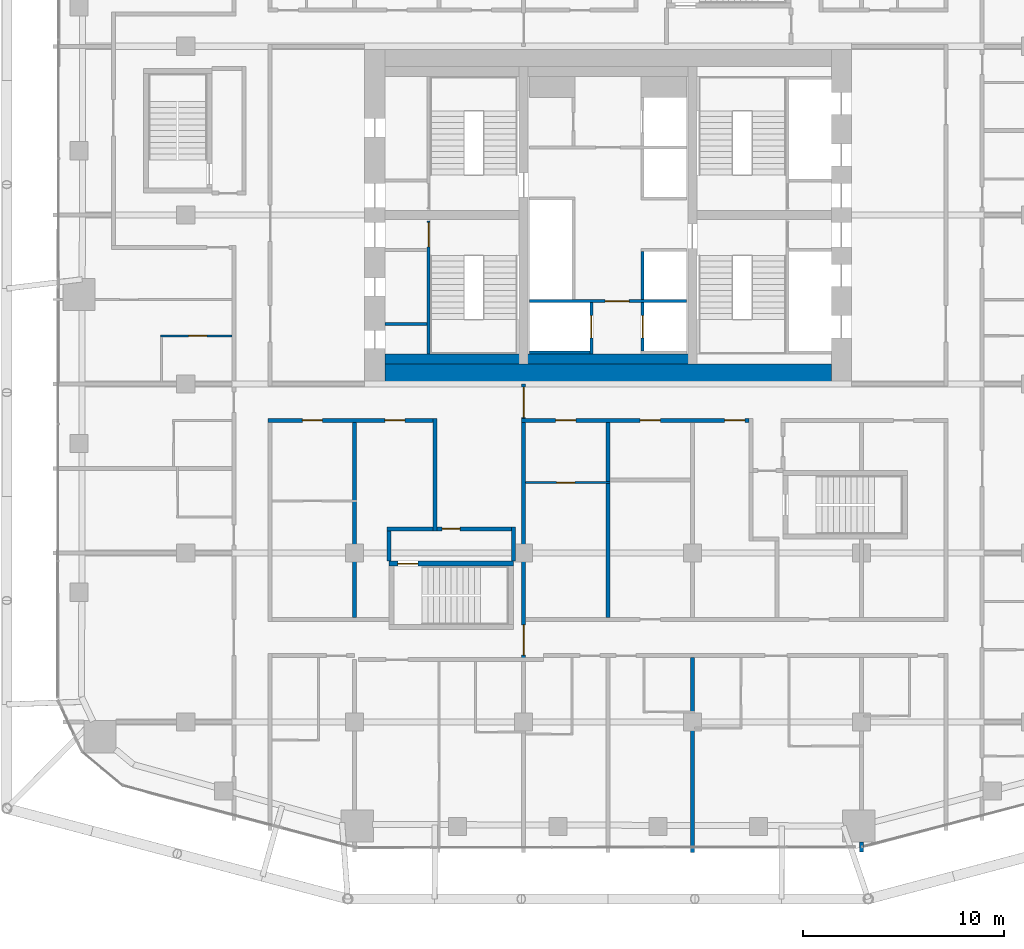
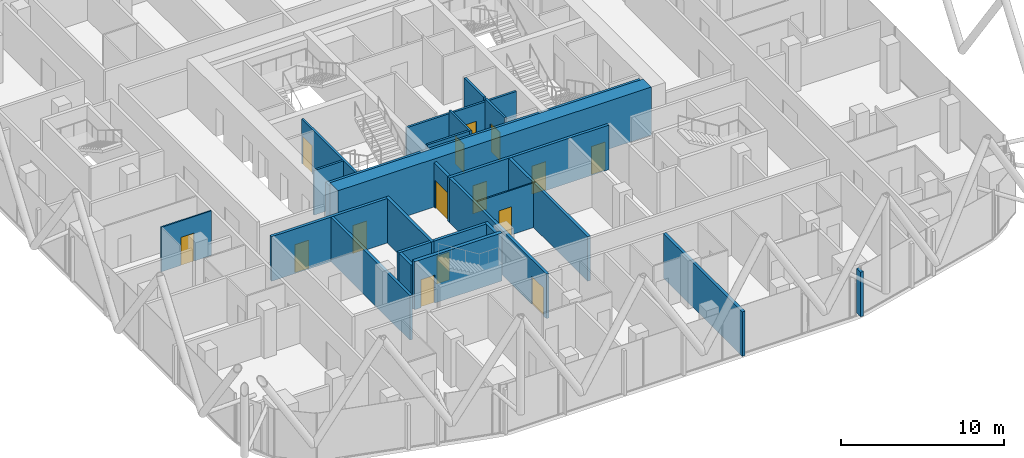
# One storey, part 28 of 36: 24 walls, 15 doors, 15 openings.
"""IFC4 building model written with IfcOpenShell, lengths in metres."""

from ifc_helpers import new_model, si_unit, direction, frame, frame_2d, origin, place, context, subcontext, project, spatial, rectangle, extrude, material, layer, layer_set, type_object, element, fill, save


model = new_model("IFC4")

# Units and contexts
model_context = context("Model", 3, precision=1e-05, world=origin(), true_north=direction((0.0, 1.0)))
body_context = subcontext(model_context, "Body", "Model", "MODEL_VIEW")
ifc_project = project(units=[si_unit("LENGTHUNIT", "METRE"), si_unit("AREAUNIT", "SQUARE_METRE"), si_unit("VOLUMEUNIT", "CUBIC_METRE"), si_unit("PLANEANGLEUNIT", "RADIAN"), si_unit("MASSUNIT", "GRAM", prefix="KILO")], contexts=[model_context])

# Site, building, storey
site_placement = place(None, origin())
site = spatial("IfcSite", under=ifc_project, at=site_placement, CompositionType="ELEMENT")
building_placement = place(site_placement, origin())
building = spatial("IfcBuilding", under=site, at=building_placement, Name="Marenta Gate Hotel Tower", CompositionType="ELEMENT")
storey_placement = place(building_placement, frame((0.0, 0.0, 158.89990234375)))
storey = spatial("IfcBuildingStorey", under=building, at=storey_placement, Name="L37", CompositionType="ELEMENT", Elevation=158.89990234375)

# Wall, openings, doors
ifc_material_1 = material(Name="Concrete blockwork", Category="masonry")
ifc_layer_1 = layer(ifc_material_1, 0.199951171875)
ifc_layer_set_1 = layer_set([ifc_layer_1], Name="Concrete blockwork")
wall_type_1 = type_object("IfcWallType", Name="Compartment wall 200 REI 180", PredefinedType="PARTITIONING", material=ifc_layer_set_1)
wall_1_placement = place(storey_placement, frame((-4.199951171875, -13.800048828125, 0.0), z_axis=(0.0, 0.0, 1.0), x_axis=(0.0, 1.0, 0.0)))
wall_1 = element("IfcWall", 1, at=wall_1_placement, inside=storey, type_object=wall_type_1, Name="L37-PTN-W074", PredefinedType="PARTITIONING", context=body_context, shape_type="SweptSolid", body=[
    extrude(rectangle(XDim=13.800048828125, YDim=0.199951171875, at=frame_2d((6.89990234375, 0.0))), origin(), (0.0, 0.0, 1.0), 3.340087890625),
])
opening_1_placement = place(wall_1_placement, frame((12.14990234375, 0.0, 0.0)))
opening_1 = element("IfcOpeningElement", 2, at=opening_1_placement, cuts=wall_1, Name="Opening G14-FD2", PredefinedType="OPENING", context=body_context, shape_type="SweptSolid", body=[
    extrude(rectangle(XDim=1.5, YDim=2.10009765625, at=frame_2d((0.75, 1.050048828125))), frame((0.0, 0.10009765625, 0.0), z_axis=(0.0, -1.0, 0.0), x_axis=(1.0, 0.0, 0.0)), (0.0, 0.0, 1.0), 0.199951171875),
])
opening_2_placement = place(wall_1_placement, frame((0.324951171875, 0.0, 0.0)))
opening_2 = element("IfcOpeningElement", 3, at=opening_2_placement, cuts=wall_1, Name="Opening G14-FD3", PredefinedType="OPENING", context=body_context, shape_type="SweptSolid", body=[
    extrude(rectangle(XDim=1.5, YDim=2.10009765625, at=frame_2d((0.75, 1.050048828125))), frame((0.0, 0.10009765625, 0.0), z_axis=(0.0, -1.0, 0.0), x_axis=(1.0, 0.0, 0.0)), (0.0, 0.0, 1.0), 0.199951171875),
])
ifc_material_2 = material(Name="Hollow steel door set", Category="steel")
door_type_1 = type_object("IfcDoorType", Name="Compartment fire door 1500x2100 EI 60", OperationType="DOUBLE_DOOR_DOUBLE_SWING", PredefinedType="DOOR", material=ifc_material_2)
door_1_placement = place(opening_1_placement, origin())
door_1 = element("IfcDoor", 4, at=door_1_placement, inside=storey, type_object=door_type_1, Name="L37-PD-FD02", OperationType="DOUBLE_DOOR_DOUBLE_SWING", OverallHeight=2.10009765625, OverallWidth=1.5, PredefinedType="DOOR", context=body_context, shape_type="SweptSolid", body=[
    extrude(rectangle(XDim=1.5, YDim=2.10009765625, at=frame_2d((0.75, 1.050048828125))), frame((0.0, 0.02490234375, 0.0), z_axis=(0.0, -1.0, 0.0), x_axis=(1.0, 0.0, 0.0)), (0.0, 0.0, 1.0), 0.050048828125),
])
fill(opening_1, door_1)
door_2_placement = place(opening_2_placement, origin())
door_2 = element("IfcDoor", 5, at=door_2_placement, inside=storey, type_object=door_type_1, Name="L37-PD-FD03", OperationType="DOUBLE_DOOR_DOUBLE_SWING", OverallHeight=2.10009765625, OverallWidth=1.5, PredefinedType="DOOR", context=body_context, shape_type="SweptSolid", body=[
    extrude(rectangle(XDim=1.5, YDim=2.10009765625, at=frame_2d((0.75, 1.050048828125))), frame((0.0, 0.02490234375, 0.0), z_axis=(0.0, -1.0, 0.0), x_axis=(1.0, 0.0, 0.0)), (0.0, 0.0, 1.0), 0.050048828125),
])
fill(opening_2, door_2)

# Wall
ifc_material_3 = material(Name="Concrete C40", Category="concrete")
ifc_layer_2 = layer(ifc_material_3, 0.5)
ifc_layer_set_2 = layer_set([ifc_layer_2], Name="Concrete C40")
wall_type_2 = type_object("IfcWallType", Name="Core lining wall 500 REI 180", PredefinedType="PARTITIONING", material=ifc_layer_set_2)
wall_2_placement = place(storey_placement, frame((-11.10009765625, 1.25, 0.0), z_axis=(0.0, 0.0, 1.0), x_axis=(1.0, 0.0, 0.0)))
element("IfcWall", 6, at=wall_2_placement, inside=storey, type_object=wall_type_2, Name="L37-CP-LN-S", PredefinedType="PARTITIONING", context=body_context, shape_type="SweptSolid", body=[
    extrude(rectangle(XDim=22.2001953125, YDim=0.5, at=frame_2d((11.10009765625, 0.0))), origin(), (0.0, 0.0, 1.0), 3.340087890625),
])

# Wall, opening, door
ifc_material_4 = material(Name="Concrete blockwork", Category="masonry")
ifc_layer_3 = layer(ifc_material_4, 0.14990234375)
ifc_layer_set_3 = layer_set([ifc_layer_3], Name="Concrete blockwork")
wall_type_3 = type_object("IfcWallType", Name="Core lobby partition 150 REI 180", PredefinedType="PARTITIONING", material=ifc_layer_set_3)
wall_3_placement = place(storey_placement, frame((-3.89990234375, 4.125, 0.0), z_axis=(0.0, 0.0, 1.0), x_axis=(1.0, 0.0, 0.0)))
wall_3 = element("IfcWall", 7, at=wall_3_placement, inside=storey, type_object=wall_type_3, Name="L37-CP-CW-S", PredefinedType="PARTITIONING", context=body_context, shape_type="SweptSolid", body=[
    extrude(rectangle(XDim=7.7998046875, YDim=0.14990234375, at=frame_2d((3.89990234375, 0.0))), origin(), (0.0, 0.0, 1.0), 3.340087890625),
])
opening_3_placement = place(wall_3_placement, frame((3.75, 0.0, 0.0)))
opening_3 = element("IfcOpeningElement", 8, at=opening_3_placement, cuts=wall_3, Name="Opening FD-FFS", PredefinedType="OPENING", context=body_context, shape_type="SweptSolid", body=[
    extrude(rectangle(XDim=1.199951171875, YDim=2.10009765625, at=frame_2d((0.60009765625, 1.050048828125))), frame((0.0, 0.074951171875, 0.0), z_axis=(0.0, -1.0, 0.0), x_axis=(1.0, 0.0, 0.0)), (0.0, 0.0, 1.0), 0.14990234375),
])
ifc_material_5 = material(Name="Steel", Category="steel")
door_type_2 = type_object("IfcDoorType", Name="Core lobby door 1200x2100 FD60", OperationType="SINGLE_SWING_LEFT", PredefinedType="DOOR", material=ifc_material_5)
door_3_placement = place(opening_3_placement, origin())
door_3 = element("IfcDoor", 9, at=door_3_placement, inside=storey, type_object=door_type_2, Name="FD-FFS", OperationType="SINGLE_SWING_LEFT", OverallHeight=2.10009765625, OverallWidth=1.199951171875, PredefinedType="DOOR", context=body_context, shape_type="SweptSolid", body=[
    extrude(rectangle(XDim=1.199951171875, YDim=2.10009765625, at=frame_2d((0.60009765625, 1.050048828125))), frame((0.0, 0.02490234375, 0.0), z_axis=(0.0, -1.0, 0.0), x_axis=(1.0, 0.0, 0.0)), (0.0, 0.0, 1.0), 0.050048828125),
])
fill(opening_3, door_3)

# Wall
ifc_material_6 = material(Name="Concrete blockwork", Category="masonry")
ifc_layer_4 = layer(ifc_material_6, 0.14990234375)
ifc_layer_set_4 = layer_set([ifc_layer_4], Name="Concrete blockwork")
wall_type_4 = type_object("IfcWallType", Name="Core room partition 150 REI 180", PredefinedType="PARTITIONING", material=ifc_layer_set_4)
wall_4_placement = place(storey_placement, frame((-11.10009765625, 3.0, 0.0), z_axis=(0.0, 0.0, 1.0), x_axis=(1.0, 0.0, 0.0)))
element("IfcWall", 10, at=wall_4_placement, inside=storey, type_object=wall_type_4, Name="L37-CP-RW-WS-1", PredefinedType="PARTITIONING", context=body_context, shape_type="SweptSolid", body=[
    extrude(rectangle(XDim=2.10009765625, YDim=0.14990234375, at=frame_2d((1.050048828125, 0.0))), origin(), (0.0, 0.0, 1.0), 3.340087890625),
])

# Wall, opening, door
ifc_material_7 = material(Name="Concrete C40", Category="concrete")
ifc_layer_5 = layer(ifc_material_7, 0.14990234375)
ifc_layer_set_5 = layer_set([ifc_layer_5], Name="Concrete C40")
wall_type_5 = type_object("IfcWallType", Name="Core shaft wall 150 REI 180", PredefinedType="SHEAR", material=ifc_layer_set_5)
wall_5_placement = place(storey_placement, frame((-0.824951171875, 1.5, 0.0), z_axis=(0.0, 0.0, 1.0), x_axis=(0.0, 1.0, 0.0)))
wall_5 = element("IfcWall", 11, at=wall_5_placement, inside=storey, type_object=wall_type_5, Name="L37-SHF-CW-W-ff", PredefinedType="SHEAR", context=body_context, shape_type="SweptSolid", body=[
    extrude(rectangle(XDim=2.550048828125, YDim=0.14990234375, at=frame_2d((1.27490234375, 0.0))), origin(), (0.0, 0.0, 1.0), 3.60009765625),
])
opening_4_placement = place(wall_5_placement, frame((0.800048828125, 0.0, 0.0)))
opening_4 = element("IfcOpeningElement", 12, at=opening_4_placement, cuts=wall_5, Name="Opening LD-FF1", PredefinedType="OPENING", context=body_context, shape_type="SweptSolid", body=[
    extrude(rectangle(XDim=1.10009765625, YDim=2.10009765625, at=frame_2d((0.550048828125, 1.050048828125))), frame((0.0, 0.074951171875, 0.0), z_axis=(0.0, -1.0, 0.0), x_axis=(1.0, 0.0, 0.0)), (0.0, 0.0, 1.0), 0.14990234375),
])
ifc_material_8 = material(Name="Steel", Category="steel")
door_type_3 = type_object("IfcDoorType", Name="Core lift landing door 1100x2100 E 60", OperationType="SLIDING_TO_LEFT", PredefinedType="DOOR", material=ifc_material_8)
door_4_placement = place(opening_4_placement, origin())
door_4 = element("IfcDoor", 13, at=door_4_placement, inside=storey, type_object=door_type_3, Name="LD-FF1", OperationType="SLIDING_TO_LEFT", OverallHeight=2.10009765625, OverallWidth=1.10009765625, PredefinedType="DOOR", context=body_context, shape_type="SweptSolid", body=[
    extrude(rectangle(XDim=1.10009765625, YDim=2.10009765625, at=frame_2d((0.550048828125, 1.050048828125))), frame((0.0, 0.02490234375, 0.0), z_axis=(0.0, -1.0, 0.0), x_axis=(1.0, 0.0, 0.0)), (0.0, 0.0, 1.0), 0.050048828125),
])
fill(opening_4, door_4)

# Wall
wall_6_placement = place(storey_placement, frame((-3.89990234375, 1.574951171875, 0.0), z_axis=(0.0, 0.0, 1.0), x_axis=(1.0, 0.0, 0.0)))
element("IfcWall", 14, at=wall_6_placement, inside=storey, type_object=wall_type_5, Name="L37-SHF-CW-W-ffs", PredefinedType="SHEAR", context=body_context, shape_type="SweptSolid", body=[
    extrude(rectangle(XDim=3.0, YDim=0.14990234375, at=frame_2d((1.5, 0.0))), origin(), (0.0, 0.0, 1.0), 3.60009765625),
])

# Wall, opening, door
wall_7_placement = place(storey_placement, frame((1.72509765625, 1.64990234375, 0.0), z_axis=(0.0, 0.0, 1.0), x_axis=(0.0, 1.0, 0.0)))
wall_7 = element("IfcWall", 15, at=wall_7_placement, inside=storey, type_object=wall_type_5, Name="L37-SHF-CE-S-ls", PredefinedType="SHEAR", context=body_context, shape_type="SweptSolid", body=[
    extrude(rectangle(XDim=2.400146484375, YDim=0.14990234375, at=frame_2d((1.2001953125, 0.0))), origin(), (0.0, 0.0, 1.0), 3.60009765625),
])
opening_5_placement = place(wall_7_placement, frame((0.64990234375, 0.0, 0.0)))
opening_5 = element("IfcOpeningElement", 16, at=opening_5_placement, cuts=wall_7, Name="Opening LD-SV1", PredefinedType="OPENING", context=body_context, shape_type="SweptSolid", body=[
    extrude(rectangle(XDim=1.10009765625, YDim=2.10009765625, at=frame_2d((0.550048828125, 1.050048828125))), frame((0.0, 0.074951171875, 0.0), z_axis=(0.0, -1.0, 0.0), x_axis=(1.0, 0.0, 0.0)), (0.0, 0.0, 1.0), 0.14990234375),
])
door_5_placement = place(opening_5_placement, origin())
door_5 = element("IfcDoor", 17, at=door_5_placement, inside=storey, type_object=door_type_3, Name="LD-SV1", OperationType="SLIDING_TO_LEFT", OverallHeight=2.10009765625, OverallWidth=1.10009765625, PredefinedType="DOOR", context=body_context, shape_type="SweptSolid", body=[
    extrude(rectangle(XDim=1.10009765625, YDim=2.10009765625, at=frame_2d((0.550048828125, 1.050048828125))), frame((0.0, 0.02490234375, 0.0), z_axis=(0.0, -1.0, 0.0), x_axis=(1.0, 0.0, 0.0)), (0.0, 0.0, 1.0), 0.050048828125),
])
fill(opening_5, door_5)

# Wall
wall_8_placement = place(storey_placement, frame((1.72509765625, 4.199951171875, 0.0), z_axis=(0.0, 0.0, 1.0), x_axis=(0.0, 1.0, 0.0)))
element("IfcWall", 18, at=wall_8_placement, inside=storey, type_object=wall_type_5, Name="L37-SHF-CE-front-1", PredefinedType="SHEAR", context=body_context, shape_type="SweptSolid", body=[
    extrude(rectangle(XDim=2.400146484375, YDim=0.14990234375, at=frame_2d((1.2001953125, 0.0))), origin(), (0.0, 0.0, 1.0), 3.60009765625),
])

# Wall, opening, door
ifc_material_9 = material(Name="Concrete C40", Category="concrete")
ifc_layer_6 = layer(ifc_material_9, 0.14990234375)
ifc_layer_set_6 = layer_set([ifc_layer_6], Name="Concrete C40")
wall_type_6 = type_object("IfcWallType", Name="Core stair enclosure wall 150 REI 180", PredefinedType="SHEAR", material=ifc_layer_set_6)
wall_9_placement = place(storey_placement, frame((-8.925048828125, 1.5, 0.0), z_axis=(0.0, 0.0, 1.0), x_axis=(0.0, 1.0, 0.0)))
wall_9 = element("IfcWall", 19, at=wall_9_placement, inside=storey, type_object=wall_type_6, Name="L37-SHF-SW-WS-3", PredefinedType="SHEAR", context=body_context, shape_type="SweptSolid", body=[
    extrude(rectangle(XDim=6.60009765625, YDim=0.14990234375, at=frame_2d((3.300048828125, 0.0))), origin(), (0.0, 0.0, 1.0), 3.340087890625),
])
opening_6_placement = place(wall_9_placement, frame((5.324951171875, 0.0, 0.0)))
opening_6 = element("IfcOpeningElement", 20, at=opening_6_placement, cuts=wall_9, Name="Opening SD-WS", PredefinedType="OPENING", context=body_context, shape_type="SweptSolid", body=[
    extrude(rectangle(XDim=1.199951171875, YDim=2.10009765625, at=frame_2d((0.60009765625, 1.050048828125))), frame((0.0, 0.074951171875, 0.0), z_axis=(0.0, -1.0, 0.0), x_axis=(1.0, 0.0, 0.0)), (0.0, 0.0, 1.0), 0.14990234375),
])
ifc_material_10 = material(Name="Steel", Category="steel")
door_type_4 = type_object("IfcDoorType", Name="Core stair door 1200x2100 FD60", OperationType="SINGLE_SWING_LEFT", PredefinedType="DOOR", material=ifc_material_10)
door_6_placement = place(opening_6_placement, origin())
door_6 = element("IfcDoor", 21, at=door_6_placement, inside=storey, type_object=door_type_4, Name="SD-WS", OperationType="SINGLE_SWING_LEFT", OverallHeight=2.10009765625, OverallWidth=1.199951171875, PredefinedType="DOOR", context=body_context, shape_type="SweptSolid", body=[
    extrude(rectangle(XDim=1.199951171875, YDim=2.10009765625, at=frame_2d((0.60009765625, 1.050048828125))), frame((0.0, 0.02490234375, 0.0), z_axis=(0.0, -1.0, 0.0), x_axis=(1.0, 0.0, 0.0)), (0.0, 0.0, 1.0), 0.050048828125),
])
fill(opening_6, door_6)

# Wall
ifc_material_11 = material(Name="Concrete C70", Category="concrete")
ifc_layer_7 = layer(ifc_material_11, 1.0)
ifc_layer_set_7 = layer_set([ifc_layer_7], Name="Concrete C70")
wall_type_7 = type_object("IfcWallType", Name="Core wall 1000 C70", PredefinedType="SHEAR", material=ifc_layer_set_7)
wall_10_placement = place(storey_placement, frame((-11.10009765625, 0.5, 0.0), z_axis=(0.0, 0.0, 1.0), x_axis=(1.0, 0.0, 0.0)))
element("IfcWall", 22, at=wall_10_placement, inside=storey, type_object=wall_type_7, Name="L37-CORE-S", PredefinedType="SHEAR", context=body_context, shape_type="SweptSolid", body=[
    extrude(rectangle(XDim=22.2001953125, YDim=1.0, at=frame_2d((11.10009765625, 0.0))), origin(), (0.0, 0.0, 1.0), 3.60009765625),
])

# Wall, opening, door
ifc_material_12 = material(Name="Concrete C40", Category="concrete")
ifc_layer_8 = layer(ifc_material_12, 0.25)
ifc_layer_set_8 = layer_set([ifc_layer_8], Name="Concrete C40")
wall_type_8 = type_object("IfcWallType", Name="Remote stair enclosure wall 250 REI 180", PredefinedType="SHEAR", material=ifc_layer_set_8)
wall_11_placement = place(storey_placement, frame((-10.89990234375, -8.925048828125, 0.10009765625), z_axis=(0.0, 0.0, 1.0), x_axis=(1.0, 0.0, 0.0)))
wall_11 = element("IfcWall", 23, at=wall_11_placement, inside=storey, type_object=wall_type_8, Name="L37-RS-Z2-1-W2", PredefinedType="SHEAR", context=body_context, shape_type="SweptSolid", body=[
    extrude(rectangle(XDim=6.199951171875, YDim=0.25, at=frame_2d((3.10009765625, 0.0))), origin(), (0.0, 0.0, 1.0), 3.60009765625),
])
opening_7_placement = place(wall_11_placement, frame((0.449951171875, 0.0, 0.0)))
opening_7 = element("IfcOpeningElement", 24, at=opening_7_placement, cuts=wall_11, Name="Opening VD", PredefinedType="OPENING", context=body_context, shape_type="SweptSolid", body=[
    extrude(rectangle(XDim=1.0, YDim=2.10009765625, at=frame_2d((0.5, 1.050048828125))), frame((0.0, 0.125, 0.0), z_axis=(0.0, -1.0, 0.0), x_axis=(1.0, 0.0, 0.0)), (0.0, 0.0, 1.0), 0.25),
])
ifc_material_13 = material(Name="Steel", Category="steel")
door_type_5 = type_object("IfcDoorType", Name="Stair vestibule door 1000x2100 FD60", OperationType="SINGLE_SWING_LEFT", PredefinedType="DOOR", material=ifc_material_13)
door_7_placement = place(opening_7_placement, origin())
door_7 = element("IfcDoor", 25, at=door_7_placement, inside=storey, type_object=door_type_5, Name="VD", OperationType="SINGLE_SWING_LEFT", OverallHeight=2.10009765625, OverallWidth=1.0, PredefinedType="DOOR", context=body_context, shape_type="SweptSolid", body=[
    extrude(rectangle(XDim=1.0, YDim=2.10009765625, at=frame_2d((0.5, 1.050048828125))), frame((0.0, 0.02490234375, 0.0), z_axis=(0.0, -1.0, 0.0), x_axis=(1.0, 0.0, 0.0)), (0.0, 0.0, 1.0), 0.050048828125),
])
fill(opening_7, door_7)

# Wall, openings, doors
ifc_material_14 = material(Name="Concrete blockwork", Category="masonry")
ifc_layer_9 = layer(ifc_material_14, 0.199951171875)
ifc_layer_set_9 = layer_set([ifc_layer_9], Name="Concrete blockwork")
wall_type_9 = type_object("IfcWallType", Name="Room corridor wall 200 EI 120", PredefinedType="PARTITIONING", material=ifc_layer_set_9)
wall_12_placement = place(storey_placement, frame((-4.300048828125, -1.800048828125, 0.0), z_axis=(0.0, 0.0, 1.0), x_axis=(1.0, 0.0, 0.0)))
wall_12 = element("IfcWall", 26, at=wall_12_placement, inside=storey, type_object=wall_type_9, Name="L37-PTN-W062", PredefinedType="PARTITIONING", context=body_context, shape_type="SweptSolid", body=[
    extrude(rectangle(XDim=11.300048828125, YDim=0.199951171875, at=frame_2d((5.64990234375, 0.0))), origin(), (0.0, 0.0, 1.0), 3.340087890625),
])
opening_8_placement = place(wall_12_placement, frame((1.699951171875, 0.0, 0.0)))
opening_8 = element("IfcOpeningElement", 27, at=opening_8_placement, cuts=wall_12, Name="Opening G14-04", PredefinedType="OPENING", context=body_context, shape_type="SweptSolid", body=[
    extrude(rectangle(XDim=1.0, YDim=2.10009765625, at=frame_2d((0.5, 1.050048828125))), frame((0.0, 0.10009765625, 0.0), z_axis=(0.0, -1.0, 0.0), x_axis=(1.0, 0.0, 0.0)), (0.0, 0.0, 1.0), 0.199951171875),
])
opening_9_placement = place(wall_12_placement, frame((10.10009765625, 0.0, 0.0)))
opening_9 = element("IfcOpeningElement", 28, at=opening_9_placement, cuts=wall_12, Name="Opening G14-06", PredefinedType="OPENING", context=body_context, shape_type="SweptSolid", body=[
    extrude(rectangle(XDim=1.0, YDim=2.10009765625, at=frame_2d((0.5, 1.050048828125))), frame((0.0, 0.10009765625, 0.0), z_axis=(0.0, -1.0, 0.0), x_axis=(1.0, 0.0, 0.0)), (0.0, 0.0, 1.0), 0.199951171875),
])
opening_10_placement = place(wall_12_placement, frame((5.89990234375, 0.0, 0.0)))
opening_10 = element("IfcOpeningElement", 29, at=opening_10_placement, cuts=wall_12, Name="Opening G14-65", PredefinedType="OPENING", context=body_context, shape_type="SweptSolid", body=[
    extrude(rectangle(XDim=1.0, YDim=2.10009765625, at=frame_2d((0.5, 1.050048828125))), frame((0.0, 0.10009765625, 0.0), z_axis=(0.0, -1.0, 0.0), x_axis=(1.0, 0.0, 0.0)), (0.0, 0.0, 1.0), 0.199951171875),
])
ifc_material_15 = material(Name="Timber door leaf", Category="wood")
door_type_6 = type_object("IfcDoorType", Name="Room amenity door 1000x2100 EI 60", OperationType="NOTDEFINED", PredefinedType="DOOR", material=ifc_material_15)
door_8_placement = place(opening_9_placement, origin())
door_8 = element("IfcDoor", 30, at=door_8_placement, inside=storey, type_object=door_type_6, Name="L37-PD-D006", OperationType="SINGLE_SWING_LEFT", OverallHeight=2.10009765625, OverallWidth=1.0, PredefinedType="DOOR", context=body_context, shape_type="SweptSolid", body=[
    extrude(rectangle(XDim=1.0, YDim=2.10009765625, at=frame_2d((0.5, 1.050048828125))), frame((0.0, 0.02490234375, 0.0), z_axis=(0.0, -1.0, 0.0), x_axis=(1.0, 0.0, 0.0)), (0.0, 0.0, 1.0), 0.050048828125),
])
fill(opening_9, door_8)
door_9_placement = place(opening_10_placement, origin())
door_9 = element("IfcDoor", 31, at=door_9_placement, inside=storey, type_object=door_type_6, Name="L37-PD-D065", OperationType="SINGLE_SWING_LEFT", OverallHeight=2.10009765625, OverallWidth=1.0, PredefinedType="DOOR", context=body_context, shape_type="SweptSolid", body=[
    extrude(rectangle(XDim=1.0, YDim=2.10009765625, at=frame_2d((0.5, 1.050048828125))), frame((0.0, 0.02490234375, 0.0), z_axis=(0.0, -1.0, 0.0), x_axis=(1.0, 0.0, 0.0)), (0.0, 0.0, 1.0), 0.050048828125),
])
fill(opening_10, door_9)
ifc_material_16 = material(Name="Hollow steel door set", Category="steel")
door_type_7 = type_object("IfcDoorType", Name="Room service door 1000x2100 EI 60", OperationType="NOTDEFINED", PredefinedType="DOOR", material=ifc_material_16)
door_10_placement = place(opening_8_placement, origin())
door_10 = element("IfcDoor", 32, at=door_10_placement, inside=storey, type_object=door_type_7, Name="L37-PD-D004", OperationType="SINGLE_SWING_RIGHT", OverallHeight=2.10009765625, OverallWidth=1.0, PredefinedType="DOOR", context=body_context, shape_type="SweptSolid", body=[
    extrude(rectangle(XDim=1.0, YDim=2.10009765625, at=frame_2d((0.5, 1.050048828125))), frame((0.0, 0.02490234375, 0.0), z_axis=(0.0, -1.0, 0.0), x_axis=(1.0, 0.0, 0.0)), (0.0, 0.0, 1.0), 0.050048828125),
])
fill(opening_8, door_10)

ifc_material_17 = material(Name="Gypsum board on steel stud", Category="steel")
ifc_layer_10 = layer(ifc_material_17, 0.199951171875)
ifc_layer_set_10 = layer_set([ifc_layer_10], Name="Gypsum board on steel stud")
wall_type_10 = type_object("IfcWallType", Name="Room corridor wall 200 EI 60", PredefinedType="PARTITIONING", material=ifc_layer_set_10)
wall_13_placement = place(storey_placement, frame((-16.89990234375, -1.800048828125, 0.0), z_axis=(0.0, 0.0, 1.0), x_axis=(1.0, 0.0, 0.0)))
wall_13 = element("IfcWall", 33, at=wall_13_placement, inside=storey, type_object=wall_type_10, Name="L37-PTN-W061", PredefinedType="PARTITIONING", context=body_context, shape_type="SweptSolid", body=[
    extrude(rectangle(XDim=8.199951171875, YDim=0.199951171875, at=frame_2d((4.10009765625, 0.0))), origin(), (0.0, 0.0, 1.0), 3.340087890625),
])
opening_11_placement = place(wall_13_placement, frame((1.699951171875, 0.0, 0.0)))
opening_11 = element("IfcOpeningElement", 34, at=opening_11_placement, cuts=wall_13, Name="Opening G14-01", PredefinedType="OPENING", context=body_context, shape_type="SweptSolid", body=[
    extrude(rectangle(XDim=1.0, YDim=2.10009765625, at=frame_2d((0.5, 1.050048828125))), frame((0.0, 0.10009765625, 0.0), z_axis=(0.0, -1.0, 0.0), x_axis=(1.0, 0.0, 0.0)), (0.0, 0.0, 1.0), 0.199951171875),
])
opening_12_placement = place(wall_13_placement, frame((5.800048828125, 0.0, 0.0)))
opening_12 = element("IfcOpeningElement", 35, at=opening_12_placement, cuts=wall_13, Name="Opening G14-03", PredefinedType="OPENING", context=body_context, shape_type="SweptSolid", body=[
    extrude(rectangle(XDim=1.0, YDim=2.10009765625, at=frame_2d((0.5, 1.050048828125))), frame((0.0, 0.10009765625, 0.0), z_axis=(0.0, -1.0, 0.0), x_axis=(1.0, 0.0, 0.0)), (0.0, 0.0, 1.0), 0.199951171875),
])
ifc_material_18 = material(Name="Timber door leaf", Category="wood")
door_type_8 = type_object("IfcDoorType", Name="Room amenity door 1000x2100 EI 30", OperationType="NOTDEFINED", PredefinedType="DOOR", material=ifc_material_18)
door_11_placement = place(opening_12_placement, origin())
door_11 = element("IfcDoor", 36, at=door_11_placement, inside=storey, type_object=door_type_8, Name="L37-PD-D003", OperationType="SINGLE_SWING_LEFT", OverallHeight=2.10009765625, OverallWidth=1.0, PredefinedType="DOOR", context=body_context, shape_type="SweptSolid", body=[
    extrude(rectangle(XDim=1.0, YDim=2.10009765625, at=frame_2d((0.5, 1.050048828125))), frame((0.0, 0.02490234375, 0.0), z_axis=(0.0, -1.0, 0.0), x_axis=(1.0, 0.0, 0.0)), (0.0, 0.0, 1.0), 0.050048828125),
])
fill(opening_12, door_11)
ifc_material_19 = material(Name="Hollow steel door set", Category="steel")
door_type_9 = type_object("IfcDoorType", Name="Room service door 1000x2100 EI 30", OperationType="NOTDEFINED", PredefinedType="DOOR", material=ifc_material_19)
door_12_placement = place(opening_11_placement, origin())
door_12 = element("IfcDoor", 37, at=door_12_placement, inside=storey, type_object=door_type_9, Name="L37-PD-D001", OperationType="SINGLE_SWING_LEFT", OverallHeight=2.10009765625, OverallWidth=1.0, PredefinedType="DOOR", context=body_context, shape_type="SweptSolid", body=[
    extrude(rectangle(XDim=1.0, YDim=2.10009765625, at=frame_2d((0.5, 1.050048828125))), frame((0.0, 0.02490234375, 0.0), z_axis=(0.0, -1.0, 0.0), x_axis=(1.0, 0.0, 0.0)), (0.0, 0.0, 1.0), 0.050048828125),
])
fill(opening_11, door_12)

# Wall
wall_14_placement = place(storey_placement, frame((-8.60009765625, -7.300048828125, 0.0), z_axis=(0.0, 0.0, 1.0), x_axis=(0.0, 1.0, 0.0)))
element("IfcWall", 38, at=wall_14_placement, inside=storey, type_object=wall_type_10, Name="L37-PTN-W084", PredefinedType="PARTITIONING", context=body_context, shape_type="SweptSolid", body=[
    extrude(rectangle(XDim=5.60009765625, YDim=0.199951171875, at=frame_2d((2.800048828125, 0.0))), origin(), (0.0, 0.0, 1.0), 3.340087890625),
])

# Wall, opening, door
ifc_material_20 = material(Name="Concrete blockwork", Category="masonry")
ifc_layer_11 = layer(ifc_material_20, 0.199951171875)
ifc_layer_set_11 = layer_set([ifc_layer_11], Name="Concrete blockwork")
wall_type_11 = type_object("IfcWallType", Name="Room corridor wall 200 REI 180", PredefinedType="PARTITIONING", material=ifc_layer_set_11)
wall_15_placement = place(storey_placement, frame((-8.5, -7.199951171875, 0.0), z_axis=(0.0, 0.0, 1.0), x_axis=(1.0, 0.0, 0.0)))
wall_15 = element("IfcWall", 39, at=wall_15_placement, inside=storey, type_object=wall_type_11, Name="L37-PTN-W045", PredefinedType="PARTITIONING", context=body_context, shape_type="SweptSolid", body=[
    extrude(rectangle(XDim=3.699951171875, YDim=0.199951171875, at=frame_2d((1.85009765625, 0.0))), origin(), (0.0, 0.0, 1.0), 3.340087890625),
])
opening_13_placement = place(wall_15_placement, frame((0.25, 0.0, 0.0)))
opening_13 = element("IfcOpeningElement", 40, at=opening_13_placement, cuts=wall_15, Name="Opening G14-56", PredefinedType="OPENING", context=body_context, shape_type="SweptSolid", body=[
    extrude(rectangle(XDim=0.89990234375, YDim=2.10009765625, at=frame_2d((0.449951171875, 1.050048828125))), frame((0.0, 0.10009765625, 0.0), z_axis=(0.0, -1.0, 0.0), x_axis=(1.0, 0.0, 0.0)), (0.0, 0.0, 1.0), 0.199951171875),
])
ifc_material_21 = material(Name="Hollow steel door set", Category="steel")
door_type_10 = type_object("IfcDoorType", Name="Stair vestibule door 900x2100 EI 60", OperationType="NOTDEFINED", PredefinedType="DOOR", material=ifc_material_21)
door_13_placement = place(opening_13_placement, origin())
door_13 = element("IfcDoor", 41, at=door_13_placement, inside=storey, type_object=door_type_10, Name="L37-PD-D056", OperationType="SINGLE_SWING_RIGHT", OverallHeight=2.10009765625, OverallWidth=0.89990234375, PredefinedType="DOOR", context=body_context, shape_type="SweptSolid", body=[
    extrude(rectangle(XDim=0.89990234375, YDim=2.10009765625, at=frame_2d((0.449951171875, 1.050048828125))), frame((0.0, 0.02490234375, 0.0), z_axis=(0.0, -1.0, 0.0), x_axis=(1.0, 0.0, 0.0)), (0.0, 0.0, 1.0), 0.050048828125),
])
fill(opening_13, door_13)

# Wall
wall_16_placement = place(storey_placement, frame((-4.699951171875, -8.800048828125, 0.0), z_axis=(0.0, 0.0, 1.0), x_axis=(0.0, 1.0, 0.0)))
element("IfcWall", 42, at=wall_16_placement, inside=storey, type_object=wall_type_11, Name="L37-PTN-W077", PredefinedType="PARTITIONING", context=body_context, shape_type="SweptSolid", body=[
    extrude(rectangle(XDim=1.699951171875, YDim=0.199951171875, at=frame_2d((0.85009765625, 0.0))), origin(), (0.0, 0.0, 1.0), 3.340087890625),
])

# Wall, opening, door
ifc_material_22 = material(Name="Gypsum board on steel stud", Category="steel")
ifc_layer_12 = layer(ifc_material_22, 0.10009765625)
ifc_layer_set_12 = layer_set([ifc_layer_12], Name="Gypsum board on steel stud")
wall_type_12 = type_object("IfcWallType", Name="Room partition 100", PredefinedType="PARTITIONING", material=ifc_layer_set_12)
wall_17_placement = place(storey_placement, frame((-4.10009765625, -4.89990234375, 0.0), z_axis=(0.0, 0.0, 1.0), x_axis=(1.0, 0.0, 0.0)))
wall_17 = element("IfcWall", 43, at=wall_17_placement, inside=storey, type_object=wall_type_12, Name="L37-PTN-W051", PredefinedType="PARTITIONING", context=body_context, shape_type="SweptSolid", body=[
    extrude(rectangle(XDim=4.2001953125, YDim=0.10009765625, at=frame_2d((2.10009765625, 0.0))), origin(), (0.0, 0.0, 1.0), 3.340087890625),
])
opening_14_placement = place(wall_17_placement, frame((1.550048828125, 0.0, 0.0)))
opening_14 = element("IfcOpeningElement", 44, at=opening_14_placement, cuts=wall_17, Name="Opening G14-05", PredefinedType="OPENING", context=body_context, shape_type="SweptSolid", body=[
    extrude(rectangle(XDim=0.89990234375, YDim=2.10009765625, at=frame_2d((0.449951171875, 1.050048828125))), frame((0.0, 0.050048828125, 0.0), z_axis=(0.0, -1.0, 0.0), x_axis=(1.0, 0.0, 0.0)), (0.0, 0.0, 1.0), 0.10009765625),
])
ifc_material_23 = material(Name="Timber door leaf", Category="wood")
door_type_11 = type_object("IfcDoorType", Name="Room inner door 900x2100", OperationType="NOTDEFINED", PredefinedType="DOOR", material=ifc_material_23)
door_14_placement = place(opening_14_placement, origin())
door_14 = element("IfcDoor", 45, at=door_14_placement, inside=storey, type_object=door_type_11, Name="L37-PD-D005", OperationType="SINGLE_SWING_LEFT", OverallHeight=2.10009765625, OverallWidth=0.89990234375, PredefinedType="DOOR", context=body_context, shape_type="SweptSolid", body=[
    extrude(rectangle(XDim=0.89990234375, YDim=2.10009765625, at=frame_2d((0.449951171875, 1.050048828125))), frame((0.0, 0.02490234375, 0.0), z_axis=(0.0, -1.0, 0.0), x_axis=(1.0, 0.0, 0.0)), (0.0, 0.0, 1.0), 0.050048828125),
])
fill(opening_14, door_14)

wall_18_placement = place(storey_placement, frame((-22.25, 2.39990234375, 0.0), z_axis=(0.0, 0.0, 1.0), x_axis=(1.0, 0.0, 0.0)))
wall_18 = element("IfcWall", 46, at=wall_18_placement, inside=storey, type_object=wall_type_12, Name="L37-PTN-W070", PredefinedType="PARTITIONING", context=body_context, shape_type="SweptSolid", body=[
    extrude(rectangle(XDim=3.550048828125, YDim=0.10009765625, at=frame_2d((1.77490234375, 0.0))), origin(), (0.0, 0.0, 1.0), 3.340087890625),
])
opening_15_placement = place(wall_18_placement, frame((1.39990234375, 0.0, 0.0)))
opening_15 = element("IfcOpeningElement", 47, at=opening_15_placement, cuts=wall_18, Name="Opening G14-52", PredefinedType="OPENING", context=body_context, shape_type="SweptSolid", body=[
    extrude(rectangle(XDim=0.89990234375, YDim=2.10009765625, at=frame_2d((0.449951171875, 1.050048828125))), frame((0.0, 0.050048828125, 0.0), z_axis=(0.0, -1.0, 0.0), x_axis=(1.0, 0.0, 0.0)), (0.0, 0.0, 1.0), 0.10009765625),
])
ifc_material_24 = material(Name="Timber door leaf", Category="wood")
door_type_12 = type_object("IfcDoorType", Name="Guest bathroom door 900x2100", OperationType="NOTDEFINED", PredefinedType="DOOR", material=ifc_material_24)
door_15_placement = place(opening_15_placement, origin())
door_15 = element("IfcDoor", 48, at=door_15_placement, inside=storey, type_object=door_type_12, Name="L37-PD-D052", OperationType="SINGLE_SWING_LEFT", OverallHeight=2.10009765625, OverallWidth=0.89990234375, PredefinedType="DOOR", context=body_context, shape_type="SweptSolid", body=[
    extrude(rectangle(XDim=0.89990234375, YDim=2.10009765625, at=frame_2d((0.449951171875, 1.050048828125))), frame((0.0, 0.02490234375, 0.0), z_axis=(0.0, -1.0, 0.0), x_axis=(1.0, 0.0, 0.0)), (0.0, 0.0, 1.0), 0.050048828125),
])
fill(opening_15, door_15)

# Walls
ifc_material_25 = material(Name="Concrete blockwork", Category="masonry")
ifc_layer_13 = layer(ifc_material_25, 0.199951171875)
ifc_layer_set_13 = layer_set([ifc_layer_13], Name="Concrete blockwork")
wall_type_13 = type_object("IfcWallType", Name="Room party wall 200 EI 120", PredefinedType="PARTITIONING", material=ifc_layer_set_13)
wall_19_placement = place(storey_placement, frame((0.0, -11.60009765625, 0.0), z_axis=(0.0, 0.0, 1.0), x_axis=(0.0, 1.0, 0.0)))
element("IfcWall", 49, at=wall_19_placement, inside=storey, type_object=wall_type_13, Name="L37-PTN-W066", PredefinedType="PARTITIONING", context=body_context, shape_type="SweptSolid", body=[
    extrude(rectangle(XDim=9.7001953125, YDim=0.199951171875, at=frame_2d((4.85009765625, 0.0))), origin(), (0.0, 0.0, 1.0), 3.340087890625),
])
ifc_material_26 = material(Name="Gypsum board on steel stud", Category="steel")
ifc_layer_14 = layer(ifc_material_26, 0.199951171875)
ifc_layer_set_14 = layer_set([ifc_layer_14], Name="Gypsum board on steel stud")
wall_type_14 = type_object("IfcWallType", Name="Room party wall 200 EI 60", PredefinedType="PARTITIONING", material=ifc_layer_set_14)
wall_20_placement = place(storey_placement, frame((12.60009765625, -23.26611328125, 0.0), z_axis=(0.0, 0.0, 1.0), x_axis=(0.0, 1.0, 0.0)))
element("IfcWall", 50, at=wall_20_placement, inside=storey, type_object=wall_type_14, Name="L37-PTN-W029", PredefinedType="PARTITIONING", context=body_context, shape_type="SweptSolid", body=[
    extrude(rectangle(XDim=0.4912109375, YDim=0.199951171875, at=frame_2d((0.24560546875, 0.0))), origin(), (0.0, 0.0, 1.0), 3.340087890625),
])
wall_21_placement = place(storey_placement, frame((4.199951171875, -23.300048828125, 0.0), z_axis=(0.0, 0.0, 1.0), x_axis=(0.0, 1.0, 0.0)))
element("IfcWall", 51, at=wall_21_placement, inside=storey, type_object=wall_type_14, Name="L37-PTN-W054", PredefinedType="PARTITIONING", context=body_context, shape_type="SweptSolid", body=[
    extrude(rectangle(XDim=9.699951171875, YDim=0.199951171875, at=frame_2d((4.85009765625, 0.0))), origin(), (0.0, 0.0, 1.0), 3.340087890625),
])
wall_22_placement = place(storey_placement, frame((-12.60009765625, -11.60009765625, 0.0), z_axis=(0.0, 0.0, 1.0), x_axis=(0.0, 1.0, 0.0)))
element("IfcWall", 52, at=wall_22_placement, inside=storey, type_object=wall_type_14, Name="L37-PTN-W089", PredefinedType="PARTITIONING", context=body_context, shape_type="SweptSolid", body=[
    extrude(rectangle(XDim=9.7001953125, YDim=0.199951171875, at=frame_2d((4.85009765625, 0.0))), origin(), (0.0, 0.0, 1.0), 3.340087890625),
])
ifc_material_27 = material(Name="Concrete blockwork", Category="masonry")
ifc_layer_15 = layer(ifc_material_27, 0.199951171875)
ifc_layer_set_15 = layer_set([ifc_layer_15], Name="Concrete blockwork")
wall_type_15 = type_object("IfcWallType", Name="Room party wall 200 REI 180", PredefinedType="PARTITIONING", material=ifc_layer_set_15)
wall_23_placement = place(storey_placement, frame((-11.0, -7.199951171875, 0.0), z_axis=(0.0, 0.0, 1.0), x_axis=(1.0, 0.0, 0.0)))
element("IfcWall", 53, at=wall_23_placement, inside=storey, type_object=wall_type_15, Name="L37-PTN-W044", PredefinedType="PARTITIONING", context=body_context, shape_type="SweptSolid", body=[
    extrude(rectangle(XDim=2.300048828125, YDim=0.199951171875, at=frame_2d((1.14990234375, 0.0))), origin(), (0.0, 0.0, 1.0), 3.340087890625),
])
wall_24_placement = place(storey_placement, frame((-10.89990234375, -8.800048828125, 0.0), z_axis=(0.0, 0.0, 1.0), x_axis=(0.0, 1.0, 0.0)))
element("IfcWall", 54, at=wall_24_placement, inside=storey, type_object=wall_type_15, Name="L37-PTN-W087", PredefinedType="PARTITIONING", context=body_context, shape_type="SweptSolid", body=[
    extrude(rectangle(XDim=1.5, YDim=0.199951171875, at=frame_2d((0.75, 0.0))), origin(), (0.0, 0.0, 1.0), 3.340087890625),
])

save(model, "model.ifc")
